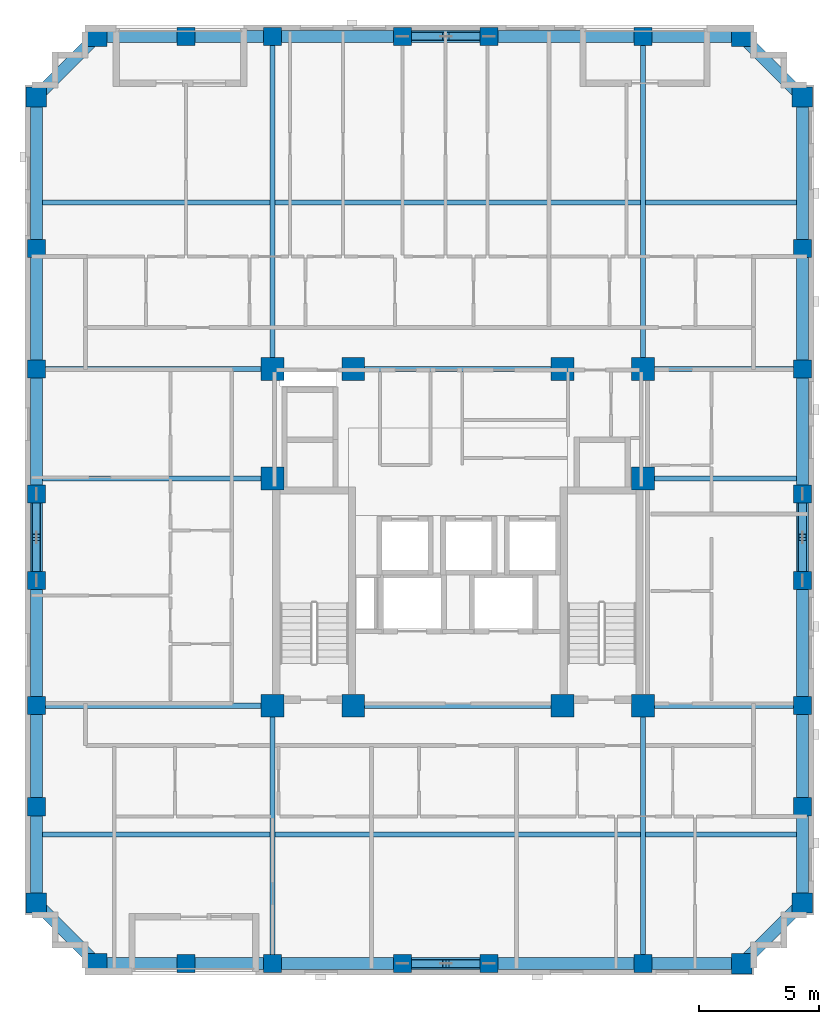
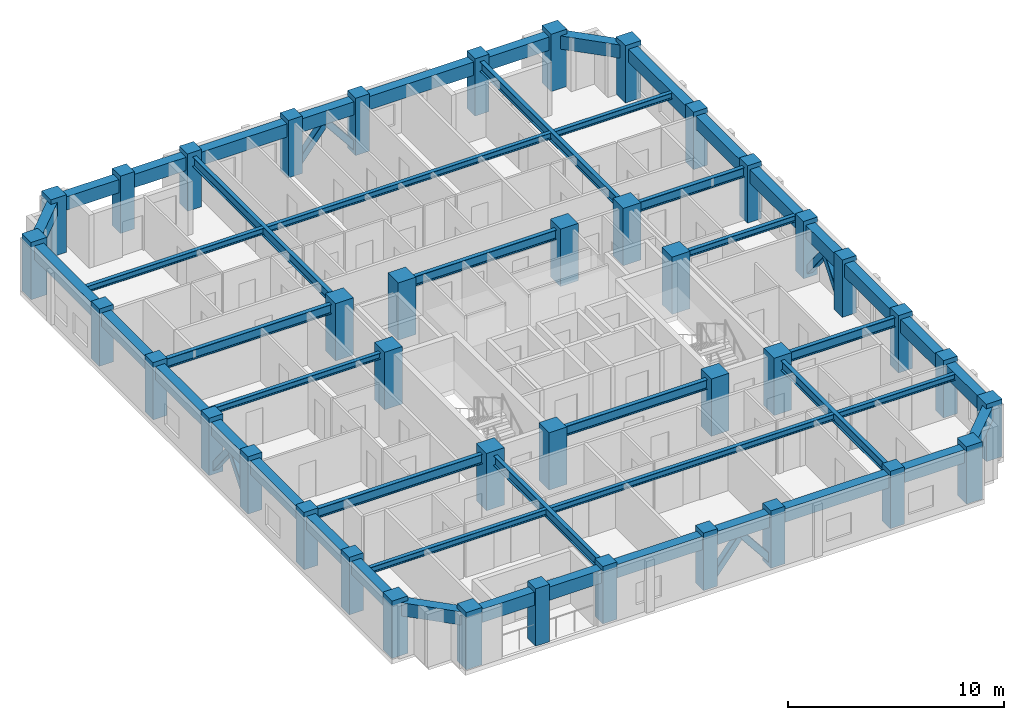
# One storey, part 1 of 11: 48 beams, 40 columns, 8 members.
"""IFC4 building model written with IfcOpenShell, lengths in metres."""

from ifc_helpers import new_model, si_unit, derived_unit, direction, frame, origin, origin_2d, place, context, subcontext, project, spatial, rectangle, hollow_rectangle, i_section, extrude, material, material_profile, profile_set, type_object, element, save


model = new_model("IFC4")

# Units and contexts
model_context = context("Model", 3, precision=1e-05, world=origin(), true_north=direction((0.0, 1.0)))
body_context = subcontext(model_context, "Body", "Model", "MODEL_VIEW")
ifc_project = project(units=[si_unit("LENGTHUNIT", "METRE"), si_unit("AREAUNIT", "SQUARE_METRE"), si_unit("VOLUMEUNIT", "CUBIC_METRE"), si_unit("PLANEANGLEUNIT", "RADIAN"), si_unit("MASSUNIT", "GRAM", prefix="KILO"), derived_unit("THERMALTRANSMITTANCEUNIT", [(si_unit("MASSUNIT", "GRAM", prefix="KILO"), 1), (si_unit("TIMEUNIT", "SECOND"), -3), (si_unit("THERMODYNAMICTEMPERATUREUNIT", "KELVIN"), -1)])], contexts=[model_context])

# Site, building, storey
site_placement = place(None, origin())
site = spatial("IfcSite", under=ifc_project, at=site_placement, CompositionType="ELEMENT")
building_placement = place(site_placement, origin())
building = spatial("IfcBuilding", under=site, at=building_placement, Name="Korrvale Station Residences", CompositionType="ELEMENT")
storey_placement = place(building_placement, frame((0.0, 0.0, 134.14990234375)))
storey = spatial("IfcBuildingStorey", under=building, at=storey_placement, Name="L38", CompositionType="ELEMENT", Elevation=134.14990234375)

# Columns
ifc_material_1 = material(Name="Concrete C60/75", Category="concrete")
ifc_material_profile_1 = material_profile(ifc_material_1, rectangle(XDim=0.75, YDim=0.75, at=origin_2d()), Name="RC750x750")
ifc_profile_set_1 = profile_set([ifc_material_profile_1], Name="Concrete C60/75")
column_type_1 = type_object("IfcColumnType", Name="COL-C-RC750x750-C6075", PredefinedType="COLUMN", material=ifc_profile_set_1)
for number, where, z_axis, x_axis, name in (
    (1, (14.199951171875, 4.280029296875, 0.0), (0.0, 0.0, 1.0), (1.0, 0.0, 0.0), "L38 Bundled-Tube South Column 02"),
    (2, (17.800048828125, 4.280029296875, 0.0), (0.0, 0.0, 1.0), (1.0, 0.0, 0.0), "L38 Bundled-Tube South Column 03"),
    (3, (23.199951171875, 4.280029296875, 0.0), (0.0, 0.0, 1.0), (1.0, 0.0, 0.0), "L38 Bundled-Tube South Column 04"),
    (4, (26.800048828125, 4.280029296875, 0.0), (0.0, 0.0, 1.0), (1.0, 0.0, 0.0), "L38 Bundled-Tube South Column 05"),
    (5, (33.199951171875, 4.280029296875, 0.0), (0.0, 0.0, 1.0), (1.0, 0.0, 0.0), "L38 Bundled-Tube South Column 06"),
    (6, (14.199951171875, 42.820068359375, 0.0), (0.0, 0.0, 1.0), (1.0, 0.0, 0.0), "L38 Bundled-Tube North Column 09"),
    (7, (17.800048828125, 42.820068359375, 0.0), (0.0, 0.0, 1.0), (1.0, 0.0, 0.0), "L38 Bundled-Tube North Column 10"),
    (8, (23.199951171875, 42.820068359375, 0.0), (0.0, 0.0, 1.0), (1.0, 0.0, 0.0), "L38 Bundled-Tube North Column 11"),
    (9, (26.800048828125, 42.820068359375, 0.0), (0.0, 0.0, 1.0), (1.0, 0.0, 0.0), "L38 Bundled-Tube North Column 12"),
    (10, (33.199951171875, 42.820068359375, 0.0), (0.0, 0.0, 1.0), (1.0, 0.0, 0.0), "L38 Bundled-Tube North Column 13"),
    (11, (7.97998046875, 10.800048828125, 0.0), (0.0, 0.0, 1.0), (1.0, 0.0, 0.0), "L38 Bundled-Tube West Column 16"),
    (12, (7.97998046875, 15.0, 0.0), (0.0, 0.0, 1.0), (1.0, 0.0, 0.0), "L38 Bundled-Tube West Column 17"),
    (13, (7.97998046875, 20.199951171875, 0.0), (0.0, 0.0, 1.0), (1.0, 0.0, 0.0), "L38 Bundled-Tube West Column 18"),
    (14, (7.97998046875, 23.800048828125, 0.0), (0.0, 0.0, 1.0), (1.0, 0.0, 0.0), "L38 Bundled-Tube West Column 19"),
    (15, (7.97998046875, 29.0, 0.0), (0.0, 0.0, 1.0), (1.0, 0.0, 0.0), "L38 Bundled-Tube West Column 20"),
    (16, (7.97998046875, 34.0, 0.0), (0.0, 0.0, 1.0), (1.0, 0.0, 0.0), "L38 Bundled-Tube West Column 21"),
    (17, (39.820068359375, 10.800048828125, 0.0), (0.0, 0.0, 1.0), (1.0, 0.0, 0.0), "L38 Bundled-Tube East Column 24"),
    (18, (39.820068359375, 15.0, 0.0), (0.0, 0.0, 1.0), (1.0, 0.0, 0.0), "L38 Bundled-Tube East Column 25"),
    (19, (39.820068359375, 20.199951171875, 0.0), (0.0, 0.0, 1.0), (1.0, 0.0, 0.0), "L38 Bundled-Tube East Column 26"),
    (20, (39.820068359375, 23.800048828125, 0.0), (0.0, 0.0, 1.0), (1.0, 0.0, 0.0), "L38 Bundled-Tube East Column 27"),
    (21, (39.820068359375, 29.0, 0.0), (0.0, 0.0, 1.0), (1.0, 0.0, 0.0), "L38 Bundled-Tube East Column 28"),
    (22, (39.820068359375, 34.0, 0.0), (0.0, 0.0, 1.0), (1.0, 0.0, 0.0), "L38 Bundled-Tube East Column 29"),
):
    element("IfcColumn", number, at=place(storey_placement, frame(where, z_axis=z_axis, x_axis=x_axis)), inside=storey, type_object=column_type_1, Name=name, PredefinedType="COLUMN", context=body_context, shape_type="SweptSolid", body=[
        extrude(rectangle(XDim=0.75, YDim=0.75, at=origin_2d()), origin(), (0.0, 0.0, 1.0), 3.25),
    ])
ifc_material_profile_2 = material_profile(ifc_material_1, rectangle(XDim=0.85009765625, YDim=0.85009765625, at=origin_2d()), Name="RC850x850")
ifc_profile_set_2 = profile_set([ifc_material_profile_2], Name="Concrete C60/75")
column_type_2 = type_object("IfcColumnType", Name="COL-C-RC850x850-C6075", PredefinedType="COLUMN", material=ifc_profile_set_2)
for number, where, z_axis, x_axis, name in (
    (23, (10.5, 4.280029296875, 0.0), (0.0, 0.0, 1.0), (1.0, 0.0, 0.0), "L38 Bundled-Tube South Column 01"),
    (24, (37.300048828125, 4.280029296875, 0.0), (0.0, 0.0, 1.0), (1.0, 0.0, 0.0), "L38 Bundled-Tube South Column 07"),
    (25, (10.5, 42.820068359375, 0.0), (0.0, 0.0, 1.0), (1.0, 0.0, 0.0), "L38 Bundled-Tube North Column 08"),
    (26, (37.300048828125, 42.820068359375, 0.0), (0.0, 0.0, 1.0), (1.0, 0.0, 0.0), "L38 Bundled-Tube North Column 14"),
    (27, (7.97998046875, 6.800048828125, 0.0), (0.0, 0.0, 1.0), (1.0, 0.0, 0.0), "L38 Bundled-Tube West Column 15"),
    (28, (7.97998046875, 40.300048828125, 0.0), (0.0, 0.0, 1.0), (1.0, 0.0, 0.0), "L38 Bundled-Tube West Column 22"),
    (29, (39.820068359375, 6.800048828125, 0.0), (0.0, 0.0, 1.0), (1.0, 0.0, 0.0), "L38 Bundled-Tube East Column 23"),
    (30, (39.820068359375, 40.300048828125, 0.0), (0.0, 0.0, 1.0), (1.0, 0.0, 0.0), "L38 Bundled-Tube East Column 30"),
):
    element("IfcColumn", number, at=place(storey_placement, frame(where, z_axis=z_axis, x_axis=x_axis)), inside=storey, type_object=column_type_2, Name=name, PredefinedType="COLUMN", context=body_context, shape_type="SweptSolid", body=[
        extrude(rectangle(XDim=0.85009765625, YDim=0.85009765625, at=origin_2d()), origin(), (0.0, 0.0, 1.0), 3.25),
    ])
ifc_material_profile_3 = material_profile(ifc_material_1, rectangle(XDim=0.949951171875, YDim=0.949951171875, at=origin_2d()), Name="RC950x950")
ifc_profile_set_3 = profile_set([ifc_material_profile_3], Name="Concrete C60/75")
column_type_3 = type_object("IfcColumnType", Name="COL-C-RC950x950-C6075", PredefinedType="COLUMN", material=ifc_profile_set_3)
for number, where, z_axis, x_axis, name in (
    (31, (17.800048828125, 15.0, 0.0), (0.0, 0.0, 1.0), (1.0, 0.0, 0.0), "L38 Core Column 01"),
    (32, (21.14990234375, 15.0, 0.0), (0.0, 0.0, 1.0), (1.0, 0.0, 0.0), "L38 Core Column 02"),
    (33, (29.85009765625, 15.0, 0.0), (0.0, 0.0, 1.0), (1.0, 0.0, 0.0), "L38 Core Column 03"),
    (34, (33.199951171875, 15.0, 0.0), (0.0, 0.0, 1.0), (1.0, 0.0, 0.0), "L38 Core Column 04"),
    (35, (17.800048828125, 29.0, 0.0), (0.0, 0.0, 1.0), (1.0, 0.0, 0.0), "L38 Core Column 05"),
    (36, (21.14990234375, 29.0, 0.0), (0.0, 0.0, 1.0), (1.0, 0.0, 0.0), "L38 Core Column 06"),
    (37, (29.85009765625, 29.0, 0.0), (0.0, 0.0, 1.0), (1.0, 0.0, 0.0), "L38 Core Column 07"),
    (38, (33.199951171875, 29.0, 0.0), (0.0, 0.0, 1.0), (1.0, 0.0, 0.0), "L38 Core Column 08"),
    (39, (17.800048828125, 24.449951171875, 0.0), (0.0, 0.0, 1.0), (1.0, 0.0, 0.0), "L38 Core Column 09"),
    (40, (33.199951171875, 24.449951171875, 0.0), (0.0, 0.0, 1.0), (1.0, 0.0, 0.0), "L38 Core Column 10"),
):
    element("IfcColumn", number, at=place(storey_placement, frame(where, z_axis=z_axis, x_axis=x_axis)), inside=storey, type_object=column_type_3, Name=name, PredefinedType="COLUMN", context=body_context, shape_type="SweptSolid", body=[
        extrude(rectangle(XDim=0.949951171875, YDim=0.949951171875, at=origin_2d()), origin(), (0.0, 0.0, 1.0), 3.25),
    ])

# Beams
ifc_material_2 = material(Name="Steel S355", Category="steel")
ifc_material_profile_4 = material_profile(ifc_material_2, i_section(OverallWidth=0.214111328125, OverallDepth=0.549072265625, WebThickness=0.0146484375, FlangeThickness=0.023681640625, FilletRadius=0.01806640625, at=origin_2d()), Name="W530x138")
ifc_profile_set_4 = profile_set([ifc_material_profile_4], Name="Steel S355")
beam_type_1 = type_object("IfcBeamType", Name="BM-BM-W530x138-S355", PredefinedType="BEAM", material=ifc_profile_set_4)
for number, where, z_axis, x_axis, name in (
    (41, (17.800048828125, 4.280029296875, 2.715576171875), (0.0, 1.0, 0.0), (-1.0, 0.0, 0.0), "L38 Bundled-Tube Web Girder 01"),
    (42, (33.199951171875, 4.280029296875, 2.715576171875), (0.0, 1.0, 0.0), (-1.0, 0.0, 0.0), "L38 Bundled-Tube Web Girder 02"),
):
    element("IfcBeam", number, at=place(storey_placement, frame(where, z_axis=z_axis, x_axis=x_axis)), inside=storey, type_object=beam_type_1, Name=name, PredefinedType="BEAM", context=body_context, shape_type="SweptSolid", body=[
        extrude(i_section(OverallWidth=0.214111328125, OverallDepth=0.549072265625, WebThickness=0.0146484375, FlangeThickness=0.023681640625, FilletRadius=0.01806640625, at=origin_2d()), origin(), (0.0, 0.0, 1.0), 10.719970703125),
    ])
for number, where, z_axis, x_axis, name in (
    (43, (17.800048828125, 29.0, 2.715576171875), (0.0, 1.0, 0.0), (-1.0, 0.0, 0.0), "L38 Bundled-Tube Web Girder 03"),
    (44, (33.199951171875, 29.0, 2.715576171875), (0.0, 1.0, 0.0), (-1.0, 0.0, 0.0), "L38 Bundled-Tube Web Girder 04"),
):
    element("IfcBeam", number, at=place(storey_placement, frame(where, z_axis=z_axis, x_axis=x_axis)), inside=storey, type_object=beam_type_1, Name=name, PredefinedType="BEAM", context=body_context, shape_type="SweptSolid", body=[
        extrude(i_section(OverallWidth=0.214111328125, OverallDepth=0.549072265625, WebThickness=0.0146484375, FlangeThickness=0.023681640625, FilletRadius=0.01806640625, at=origin_2d()), origin(), (0.0, 0.0, 1.0), 13.820068359375),
    ])
beam_1_placement = place(storey_placement, frame((7.97998046875, 15.0, 2.715576171875), z_axis=(1.0, 0.0, 0.0), x_axis=(0.0, 1.0, 0.0)))
element("IfcBeam", 45, at=beam_1_placement, inside=storey, type_object=beam_type_1, Name="L38 Bundled-Tube Web Girder 05", PredefinedType="BEAM", context=body_context, shape_type="SweptSolid", body=[
    extrude(i_section(OverallWidth=0.214111328125, OverallDepth=0.549072265625, WebThickness=0.0146484375, FlangeThickness=0.023681640625, FilletRadius=0.01806640625, at=origin_2d()), origin(), (0.0, 0.0, 1.0), 9.820068359375),
])
beam_2_placement = place(storey_placement, frame((33.199951171875, 15.0, 2.715576171875), z_axis=(1.0, 0.0, 0.0), x_axis=(0.0, 1.0, 0.0)))
element("IfcBeam", 46, at=beam_2_placement, inside=storey, type_object=beam_type_1, Name="L38 Bundled-Tube Web Girder 06", PredefinedType="BEAM", context=body_context, shape_type="SweptSolid", body=[
    extrude(i_section(OverallWidth=0.214111328125, OverallDepth=0.549072265625, WebThickness=0.0146484375, FlangeThickness=0.023681640625, FilletRadius=0.01806640625, at=origin_2d()), origin(), (0.0, 0.0, 1.0), 6.6201171875),
])
beam_3_placement = place(storey_placement, frame((7.97998046875, 29.0, 2.715576171875), z_axis=(1.0, 0.0, 0.0), x_axis=(0.0, 1.0, 0.0)))
element("IfcBeam", 47, at=beam_3_placement, inside=storey, type_object=beam_type_1, Name="L38 Bundled-Tube Web Girder 07", PredefinedType="BEAM", context=body_context, shape_type="SweptSolid", body=[
    extrude(i_section(OverallWidth=0.214111328125, OverallDepth=0.549072265625, WebThickness=0.0146484375, FlangeThickness=0.023681640625, FilletRadius=0.01806640625, at=origin_2d()), origin(), (0.0, 0.0, 1.0), 9.820068359375),
])
beam_4_placement = place(storey_placement, frame((33.199951171875, 29.0, 2.715576171875), z_axis=(1.0, 0.0, 0.0), x_axis=(0.0, 1.0, 0.0)))
element("IfcBeam", 48, at=beam_4_placement, inside=storey, type_object=beam_type_1, Name="L38 Bundled-Tube Web Girder 08", PredefinedType="BEAM", context=body_context, shape_type="SweptSolid", body=[
    extrude(i_section(OverallWidth=0.214111328125, OverallDepth=0.549072265625, WebThickness=0.0146484375, FlangeThickness=0.023681640625, FilletRadius=0.01806640625, at=origin_2d()), origin(), (0.0, 0.0, 1.0), 6.6201171875),
])
for number, where, z_axis, x_axis, name in (
    (49, (21.14990234375, 15.0, 2.715576171875), (1.0, 0.0, 0.0), (0.0, 1.0, 0.0), "L38 Bundled-Tube Web Girder 09"),
    (50, (21.14990234375, 29.0, 2.715576171875), (1.0, 0.0, 0.0), (0.0, 1.0, 0.0), "L38 Bundled-Tube Web Girder 10"),
):
    element("IfcBeam", number, at=place(storey_placement, frame(where, z_axis=z_axis, x_axis=x_axis)), inside=storey, type_object=beam_type_1, Name=name, PredefinedType="BEAM", context=body_context, shape_type="SweptSolid", body=[
        extrude(i_section(OverallWidth=0.214111328125, OverallDepth=0.549072265625, WebThickness=0.0146484375, FlangeThickness=0.023681640625, FilletRadius=0.01806640625, at=origin_2d()), origin(), (0.0, 0.0, 1.0), 8.7001953125),
    ])
ifc_material_profile_5 = material_profile(ifc_material_2, i_section(OverallWidth=0.205078125, OverallDepth=0.35400390625, WebThickness=0.009521484375, FlangeThickness=0.016845703125, FilletRadius=0.014892578125, at=origin_2d()), Name="W360x79")
ifc_profile_set_5 = profile_set([ifc_material_profile_5], Name="Steel S355")
beam_type_2 = type_object("IfcBeamType", Name="BM-JST-W360x79-S355", PredefinedType="JOIST", material=ifc_profile_set_5)
beam_5_placement = place(storey_placement, frame((8.22998046875, 9.639892578125, 2.81298828125), z_axis=(1.0, 0.0, 0.0), x_axis=(0.0, 1.0, 0.0)))
element("IfcBeam", 51, at=beam_5_placement, inside=storey, type_object=beam_type_2, Name="L38 Floor Framing Joist 01", PredefinedType="JOIST", context=body_context, shape_type="SweptSolid", body=[
    extrude(i_section(OverallWidth=0.205078125, OverallDepth=0.35400390625, WebThickness=0.009521484375, FlangeThickness=0.016845703125, FilletRadius=0.014892578125, at=origin_2d()), origin(), (0.0, 0.0, 1.0), 9.463134765625),
])
beam_6_placement = place(storey_placement, frame((17.906982421875, 9.639892578125, 2.81298828125), z_axis=(1.0, 0.0, 0.0), x_axis=(0.0, 1.0, 0.0)))
element("IfcBeam", 52, at=beam_6_placement, inside=storey, type_object=beam_type_2, Name="L38 Floor Framing Joist 02", PredefinedType="JOIST", context=body_context, shape_type="SweptSolid", body=[
    extrude(i_section(OverallWidth=0.205078125, OverallDepth=0.35400390625, WebThickness=0.009521484375, FlangeThickness=0.016845703125, FilletRadius=0.014892578125, at=origin_2d()), origin(), (0.0, 0.0, 1.0), 15.18603515625),
])
beam_7_placement = place(storey_placement, frame((33.306884765625, 9.639892578125, 2.81298828125), z_axis=(1.0, 0.0, 0.0), x_axis=(0.0, 1.0, 0.0)))
element("IfcBeam", 53, at=beam_7_placement, inside=storey, type_object=beam_type_2, Name="L38 Floor Framing Joist 03", PredefinedType="JOIST", context=body_context, shape_type="SweptSolid", body=[
    extrude(i_section(OverallWidth=0.205078125, OverallDepth=0.35400390625, WebThickness=0.009521484375, FlangeThickness=0.016845703125, FilletRadius=0.014892578125, at=origin_2d()), origin(), (0.0, 0.0, 1.0), 6.26318359375),
])
beam_8_placement = place(storey_placement, frame((8.22998046875, 35.909912109375, 2.81298828125), z_axis=(1.0, 0.0, 0.0), x_axis=(0.0, 1.0, 0.0)))
element("IfcBeam", 54, at=beam_8_placement, inside=storey, type_object=beam_type_2, Name="L38 Floor Framing Joist 04", PredefinedType="JOIST", context=body_context, shape_type="SweptSolid", body=[
    extrude(i_section(OverallWidth=0.205078125, OverallDepth=0.35400390625, WebThickness=0.009521484375, FlangeThickness=0.016845703125, FilletRadius=0.014892578125, at=origin_2d()), origin(), (0.0, 0.0, 1.0), 9.463134765625),
])
beam_9_placement = place(storey_placement, frame((17.906982421875, 35.909912109375, 2.81298828125), z_axis=(1.0, 0.0, 0.0), x_axis=(0.0, 1.0, 0.0)))
element("IfcBeam", 55, at=beam_9_placement, inside=storey, type_object=beam_type_2, Name="L38 Floor Framing Joist 05", PredefinedType="JOIST", context=body_context, shape_type="SweptSolid", body=[
    extrude(i_section(OverallWidth=0.205078125, OverallDepth=0.35400390625, WebThickness=0.009521484375, FlangeThickness=0.016845703125, FilletRadius=0.014892578125, at=origin_2d()), origin(), (0.0, 0.0, 1.0), 15.18603515625),
])
beam_10_placement = place(storey_placement, frame((33.306884765625, 35.909912109375, 2.81298828125), z_axis=(1.0, 0.0, 0.0), x_axis=(0.0, 1.0, 0.0)))
element("IfcBeam", 56, at=beam_10_placement, inside=storey, type_object=beam_type_2, Name="L38 Floor Framing Joist 06", PredefinedType="JOIST", context=body_context, shape_type="SweptSolid", body=[
    extrude(i_section(OverallWidth=0.205078125, OverallDepth=0.35400390625, WebThickness=0.009521484375, FlangeThickness=0.016845703125, FilletRadius=0.014892578125, at=origin_2d()), origin(), (0.0, 0.0, 1.0), 6.26318359375),
])
beam_11_placement = place(storey_placement, frame((33.199951171875, 24.449951171875, 2.81298828125), z_axis=(1.0, 0.0, 0.0), x_axis=(0.0, 1.0, 0.0)))
element("IfcBeam", 57, at=beam_11_placement, inside=storey, type_object=beam_type_2, Name="L38 Floor Framing Joist 07", PredefinedType="JOIST", context=body_context, shape_type="SweptSolid", body=[
    extrude(i_section(OverallWidth=0.205078125, OverallDepth=0.35400390625, WebThickness=0.009521484375, FlangeThickness=0.016845703125, FilletRadius=0.014892578125, at=origin_2d()), origin(), (0.0, 0.0, 1.0), 6.3701171875),
])
beam_12_placement = place(storey_placement, frame((8.22998046875, 24.449951171875, 2.81298828125), z_axis=(1.0, 0.0, 0.0), x_axis=(0.0, 1.0, 0.0)))
element("IfcBeam", 58, at=beam_12_placement, inside=storey, type_object=beam_type_2, Name="L38 Floor Framing Joist 08", PredefinedType="JOIST", context=body_context, shape_type="SweptSolid", body=[
    extrude(i_section(OverallWidth=0.205078125, OverallDepth=0.35400390625, WebThickness=0.009521484375, FlangeThickness=0.016845703125, FilletRadius=0.014892578125, at=origin_2d()), origin(), (0.0, 0.0, 1.0), 9.570068359375),
])
ifc_material_profile_6 = material_profile(ifc_material_1, rectangle(XDim=0.5, YDim=0.75, at=origin_2d()), Name="RCB500x750")
ifc_profile_set_6 = profile_set([ifc_material_profile_6], Name="Concrete C60/75")
beam_type_3 = type_object("IfcBeamType", Name="BM-SPB-RCB500x750-C6075", PredefinedType="SPANDREL", material=ifc_profile_set_6)
beam_13_placement = place(storey_placement, frame((10.5, 4.280029296875, 2.614990234375), z_axis=(1.0, 0.0, 0.0), x_axis=(0.0, 1.0, 0.0)))
element("IfcBeam", 59, at=beam_13_placement, inside=storey, type_object=beam_type_3, Name="L38 South Tube Spandrel 01", PredefinedType="SPANDREL", context=body_context, shape_type="SweptSolid", body=[
    extrude(rectangle(XDim=0.5, YDim=0.75, at=origin_2d()), origin(), (0.0, 0.0, 1.0), 3.699951171875),
])
beam_14_placement = place(storey_placement, frame((14.199951171875, 4.280029296875, 2.614990234375), z_axis=(1.0, 0.0, 0.0), x_axis=(0.0, 1.0, 0.0)))
element("IfcBeam", 60, at=beam_14_placement, inside=storey, type_object=beam_type_3, Name="L38 South Tube Spandrel 02", PredefinedType="SPANDREL", context=body_context, shape_type="SweptSolid", body=[
    extrude(rectangle(XDim=0.5, YDim=0.75, at=origin_2d()), origin(), (0.0, 0.0, 1.0), 3.60009765625),
])
beam_15_placement = place(storey_placement, frame((17.800048828125, 4.280029296875, 2.614990234375), z_axis=(1.0, 0.0, 0.0), x_axis=(0.0, 1.0, 0.0)))
element("IfcBeam", 61, at=beam_15_placement, inside=storey, type_object=beam_type_3, Name="L38 South Tube Spandrel 03", PredefinedType="SPANDREL", context=body_context, shape_type="SweptSolid", body=[
    extrude(rectangle(XDim=0.5, YDim=0.75, at=origin_2d()), origin(), (0.0, 0.0, 1.0), 5.39990234375),
])
beam_16_placement = place(storey_placement, frame((23.199951171875, 4.280029296875, 2.614990234375), z_axis=(1.0, 0.0, 0.0), x_axis=(0.0, 1.0, 0.0)))
element("IfcBeam", 62, at=beam_16_placement, inside=storey, type_object=beam_type_3, Name="L38 South Tube Spandrel 04", PredefinedType="SPANDREL", context=body_context, shape_type="SweptSolid", body=[
    extrude(rectangle(XDim=0.5, YDim=0.75, at=origin_2d()), origin(), (0.0, 0.0, 1.0), 3.60009765625),
])
beam_17_placement = place(storey_placement, frame((26.800048828125, 4.280029296875, 2.614990234375), z_axis=(1.0, 0.0, 0.0), x_axis=(0.0, 1.0, 0.0)))
element("IfcBeam", 63, at=beam_17_placement, inside=storey, type_object=beam_type_3, Name="L38 South Tube Spandrel 05", PredefinedType="SPANDREL", context=body_context, shape_type="SweptSolid", body=[
    extrude(rectangle(XDim=0.5, YDim=0.75, at=origin_2d()), origin(), (0.0, 0.0, 1.0), 6.39990234375),
])
beam_18_placement = place(storey_placement, frame((33.199951171875, 4.280029296875, 2.614990234375), z_axis=(1.0, 0.0, 0.0), x_axis=(0.0, 1.0, 0.0)))
element("IfcBeam", 64, at=beam_18_placement, inside=storey, type_object=beam_type_3, Name="L38 South Tube Spandrel 06", PredefinedType="SPANDREL", context=body_context, shape_type="SweptSolid", body=[
    extrude(rectangle(XDim=0.5, YDim=0.75, at=origin_2d()), origin(), (0.0, 0.0, 1.0), 4.10009765625),
])
beam_19_placement = place(storey_placement, frame((10.5, 42.820068359375, 2.614990234375), z_axis=(1.0, 0.0, 0.0), x_axis=(0.0, 1.0, 0.0)))
element("IfcBeam", 65, at=beam_19_placement, inside=storey, type_object=beam_type_3, Name="L38 North Tube Spandrel 07", PredefinedType="SPANDREL", context=body_context, shape_type="SweptSolid", body=[
    extrude(rectangle(XDim=0.5, YDim=0.75, at=origin_2d()), origin(), (0.0, 0.0, 1.0), 3.699951171875),
])
beam_20_placement = place(storey_placement, frame((14.199951171875, 42.820068359375, 2.614990234375), z_axis=(1.0, 0.0, 0.0), x_axis=(0.0, 1.0, 0.0)))
element("IfcBeam", 66, at=beam_20_placement, inside=storey, type_object=beam_type_3, Name="L38 North Tube Spandrel 08", PredefinedType="SPANDREL", context=body_context, shape_type="SweptSolid", body=[
    extrude(rectangle(XDim=0.5, YDim=0.75, at=origin_2d()), origin(), (0.0, 0.0, 1.0), 3.60009765625),
])
beam_21_placement = place(storey_placement, frame((17.800048828125, 42.820068359375, 2.614990234375), z_axis=(1.0, 0.0, 0.0), x_axis=(0.0, 1.0, 0.0)))
element("IfcBeam", 67, at=beam_21_placement, inside=storey, type_object=beam_type_3, Name="L38 North Tube Spandrel 09", PredefinedType="SPANDREL", context=body_context, shape_type="SweptSolid", body=[
    extrude(rectangle(XDim=0.5, YDim=0.75, at=origin_2d()), origin(), (0.0, 0.0, 1.0), 5.39990234375),
])
beam_22_placement = place(storey_placement, frame((23.199951171875, 42.820068359375, 2.614990234375), z_axis=(1.0, 0.0, 0.0), x_axis=(0.0, 1.0, 0.0)))
element("IfcBeam", 68, at=beam_22_placement, inside=storey, type_object=beam_type_3, Name="L38 North Tube Spandrel 10", PredefinedType="SPANDREL", context=body_context, shape_type="SweptSolid", body=[
    extrude(rectangle(XDim=0.5, YDim=0.75, at=origin_2d()), origin(), (0.0, 0.0, 1.0), 3.60009765625),
])
beam_23_placement = place(storey_placement, frame((26.800048828125, 42.820068359375, 2.614990234375), z_axis=(1.0, 0.0, 0.0), x_axis=(0.0, 1.0, 0.0)))
element("IfcBeam", 69, at=beam_23_placement, inside=storey, type_object=beam_type_3, Name="L38 North Tube Spandrel 11", PredefinedType="SPANDREL", context=body_context, shape_type="SweptSolid", body=[
    extrude(rectangle(XDim=0.5, YDim=0.75, at=origin_2d()), origin(), (0.0, 0.0, 1.0), 6.39990234375),
])
beam_24_placement = place(storey_placement, frame((33.199951171875, 42.820068359375, 2.614990234375), z_axis=(1.0, 0.0, 0.0), x_axis=(0.0, 1.0, 0.0)))
element("IfcBeam", 70, at=beam_24_placement, inside=storey, type_object=beam_type_3, Name="L38 North Tube Spandrel 12", PredefinedType="SPANDREL", context=body_context, shape_type="SweptSolid", body=[
    extrude(rectangle(XDim=0.5, YDim=0.75, at=origin_2d()), origin(), (0.0, 0.0, 1.0), 4.10009765625),
])
beam_25_placement = place(storey_placement, frame((7.97998046875, 6.800048828125, 2.614990234375), z_axis=(0.0, 1.0, 0.0), x_axis=(-1.0, 0.0, 0.0)))
element("IfcBeam", 71, at=beam_25_placement, inside=storey, type_object=beam_type_3, Name="L38 West Tube Spandrel 13", PredefinedType="SPANDREL", context=body_context, shape_type="SweptSolid", body=[
    extrude(rectangle(XDim=0.5, YDim=0.75, at=origin_2d()), origin(), (0.0, 0.0, 1.0), 4.0),
])
beam_26_placement = place(storey_placement, frame((7.97998046875, 10.800048828125, 2.614990234375), z_axis=(0.0, 1.0, 0.0), x_axis=(-1.0, 0.0, 0.0)))
element("IfcBeam", 72, at=beam_26_placement, inside=storey, type_object=beam_type_3, Name="L38 West Tube Spandrel 14", PredefinedType="SPANDREL", context=body_context, shape_type="SweptSolid", body=[
    extrude(rectangle(XDim=0.5, YDim=0.75, at=origin_2d()), origin(), (0.0, 0.0, 1.0), 4.199951171875),
])
beam_27_placement = place(storey_placement, frame((7.97998046875, 15.0, 2.614990234375), z_axis=(0.0, 1.0, 0.0), x_axis=(-1.0, 0.0, 0.0)))
element("IfcBeam", 73, at=beam_27_placement, inside=storey, type_object=beam_type_3, Name="L38 West Tube Spandrel 15", PredefinedType="SPANDREL", context=body_context, shape_type="SweptSolid", body=[
    extrude(rectangle(XDim=0.5, YDim=0.75, at=origin_2d()), origin(), (0.0, 0.0, 1.0), 5.199951171875),
])
beam_28_placement = place(storey_placement, frame((7.97998046875, 20.199951171875, 2.614990234375), z_axis=(0.0, 1.0, 0.0), x_axis=(-1.0, 0.0, 0.0)))
element("IfcBeam", 74, at=beam_28_placement, inside=storey, type_object=beam_type_3, Name="L38 West Tube Spandrel 16", PredefinedType="SPANDREL", context=body_context, shape_type="SweptSolid", body=[
    extrude(rectangle(XDim=0.5, YDim=0.75, at=origin_2d()), origin(), (0.0, 0.0, 1.0), 3.60009765625),
])
beam_29_placement = place(storey_placement, frame((7.97998046875, 23.800048828125, 2.614990234375), z_axis=(0.0, 1.0, 0.0), x_axis=(-1.0, 0.0, 0.0)))
element("IfcBeam", 75, at=beam_29_placement, inside=storey, type_object=beam_type_3, Name="L38 West Tube Spandrel 17", PredefinedType="SPANDREL", context=body_context, shape_type="SweptSolid", body=[
    extrude(rectangle(XDim=0.5, YDim=0.75, at=origin_2d()), origin(), (0.0, 0.0, 1.0), 5.199951171875),
])
beam_30_placement = place(storey_placement, frame((7.97998046875, 29.0, 2.614990234375), z_axis=(0.0, 1.0, 0.0), x_axis=(-1.0, 0.0, 0.0)))
element("IfcBeam", 76, at=beam_30_placement, inside=storey, type_object=beam_type_3, Name="L38 West Tube Spandrel 18", PredefinedType="SPANDREL", context=body_context, shape_type="SweptSolid", body=[
    extrude(rectangle(XDim=0.5, YDim=0.75, at=origin_2d()), origin(), (0.0, 0.0, 1.0), 5.0),
])
beam_31_placement = place(storey_placement, frame((7.97998046875, 34.0, 2.614990234375), z_axis=(0.0, 1.0, 0.0), x_axis=(-1.0, 0.0, 0.0)))
element("IfcBeam", 77, at=beam_31_placement, inside=storey, type_object=beam_type_3, Name="L38 West Tube Spandrel 19", PredefinedType="SPANDREL", context=body_context, shape_type="SweptSolid", body=[
    extrude(rectangle(XDim=0.5, YDim=0.75, at=origin_2d()), origin(), (0.0, 0.0, 1.0), 6.300048828125),
])
beam_32_placement = place(storey_placement, frame((39.820068359375, 6.800048828125, 2.614990234375), z_axis=(0.0, 1.0, 0.0), x_axis=(-1.0, 0.0, 0.0)))
element("IfcBeam", 78, at=beam_32_placement, inside=storey, type_object=beam_type_3, Name="L38 East Tube Spandrel 20", PredefinedType="SPANDREL", context=body_context, shape_type="SweptSolid", body=[
    extrude(rectangle(XDim=0.5, YDim=0.75, at=origin_2d()), origin(), (0.0, 0.0, 1.0), 4.0),
])
beam_33_placement = place(storey_placement, frame((39.820068359375, 10.800048828125, 2.614990234375), z_axis=(0.0, 1.0, 0.0), x_axis=(-1.0, 0.0, 0.0)))
element("IfcBeam", 79, at=beam_33_placement, inside=storey, type_object=beam_type_3, Name="L38 East Tube Spandrel 21", PredefinedType="SPANDREL", context=body_context, shape_type="SweptSolid", body=[
    extrude(rectangle(XDim=0.5, YDim=0.75, at=origin_2d()), origin(), (0.0, 0.0, 1.0), 4.199951171875),
])
beam_34_placement = place(storey_placement, frame((39.820068359375, 15.0, 2.614990234375), z_axis=(0.0, 1.0, 0.0), x_axis=(-1.0, 0.0, 0.0)))
element("IfcBeam", 80, at=beam_34_placement, inside=storey, type_object=beam_type_3, Name="L38 East Tube Spandrel 22", PredefinedType="SPANDREL", context=body_context, shape_type="SweptSolid", body=[
    extrude(rectangle(XDim=0.5, YDim=0.75, at=origin_2d()), origin(), (0.0, 0.0, 1.0), 5.199951171875),
])
beam_35_placement = place(storey_placement, frame((39.820068359375, 20.199951171875, 2.614990234375), z_axis=(0.0, 1.0, 0.0), x_axis=(-1.0, 0.0, 0.0)))
element("IfcBeam", 81, at=beam_35_placement, inside=storey, type_object=beam_type_3, Name="L38 East Tube Spandrel 23", PredefinedType="SPANDREL", context=body_context, shape_type="SweptSolid", body=[
    extrude(rectangle(XDim=0.5, YDim=0.75, at=origin_2d()), origin(), (0.0, 0.0, 1.0), 3.60009765625),
])
beam_36_placement = place(storey_placement, frame((39.820068359375, 23.800048828125, 2.614990234375), z_axis=(0.0, 1.0, 0.0), x_axis=(-1.0, 0.0, 0.0)))
element("IfcBeam", 82, at=beam_36_placement, inside=storey, type_object=beam_type_3, Name="L38 East Tube Spandrel 24", PredefinedType="SPANDREL", context=body_context, shape_type="SweptSolid", body=[
    extrude(rectangle(XDim=0.5, YDim=0.75, at=origin_2d()), origin(), (0.0, 0.0, 1.0), 5.199951171875),
])
beam_37_placement = place(storey_placement, frame((39.820068359375, 29.0, 2.614990234375), z_axis=(0.0, 1.0, 0.0), x_axis=(-1.0, 0.0, 0.0)))
element("IfcBeam", 83, at=beam_37_placement, inside=storey, type_object=beam_type_3, Name="L38 East Tube Spandrel 25", PredefinedType="SPANDREL", context=body_context, shape_type="SweptSolid", body=[
    extrude(rectangle(XDim=0.5, YDim=0.75, at=origin_2d()), origin(), (0.0, 0.0, 1.0), 5.0),
])
beam_38_placement = place(storey_placement, frame((39.820068359375, 34.0, 2.614990234375), z_axis=(0.0, 1.0, 0.0), x_axis=(-1.0, 0.0, 0.0)))
element("IfcBeam", 84, at=beam_38_placement, inside=storey, type_object=beam_type_3, Name="L38 East Tube Spandrel 26", PredefinedType="SPANDREL", context=body_context, shape_type="SweptSolid", body=[
    extrude(rectangle(XDim=0.5, YDim=0.75, at=origin_2d()), origin(), (0.0, 0.0, 1.0), 6.300048828125),
])
for number, where, z_axis, x_axis, name in (
    (85, (10.5, 4.280029296875, 2.614990234375), (-0.707106781187, 0.707106781187, 0.0), (-0.707106781187, -0.707106781187, 0.0), "L38 Serrated Corner Spandrel 27"),
    (86, (37.300048828125, 4.280029296875, 2.614990234375), (0.707106781187, 0.707106781187, 0.0), (-0.707106781187, 0.707106781187, 0.0), "L38 Serrated Corner Spandrel 28"),
    (87, (37.300048828125, 42.820068359375, 2.614990234375), (0.707106781187, -0.707106781187, 0.0), (0.707106781187, 0.707106781187, 0.0), "L38 Serrated Corner Spandrel 29"),
    (88, (10.5, 42.820068359375, 2.614990234375), (-0.707106781187, -0.707106781187, 0.0), (0.707106781187, -0.707106781187, 0.0), "L38 Serrated Corner Spandrel 30"),
):
    element("IfcBeam", number, at=place(storey_placement, frame(where, z_axis=z_axis, x_axis=x_axis)), inside=storey, type_object=beam_type_3, Name=name, PredefinedType="SPANDREL", context=body_context, shape_type="SweptSolid", body=[
        extrude(rectangle(XDim=0.5, YDim=0.75, at=origin_2d()), origin(), (0.0, 0.0, 1.0), 3.56396484375),
    ])

# Members
ifc_material_profile_7 = material_profile(ifc_material_2, hollow_rectangle(XDim=0.355712890625, YDim=0.355712890625, WallThickness=0.015869140625, InnerFilletRadius=0.015869140625, OuterFilletRadius=0.03173828125, at=origin_2d()), Name="HSS356x356x16")
ifc_profile_set_7 = profile_set([ifc_material_profile_7], Name="Steel S355")
member_type = type_object("IfcMemberType", Name="MBR-BR-HSS356x356x16", PredefinedType="BRACE", material=ifc_profile_set_7)
for number, where, z_axis, x_axis, name in (
    (89, (23.199951171875, 4.280029296875, 0.02001953125), (0.62640309239, 0.0, 0.779499304582), (0.0, 1.0, 0.0), "L38 S Perimeter Tube Wind Brace 1"),
    (90, (26.800048828125, 4.280029296875, 0.02001953125), (-0.62640309239, 0.0, 0.779499304582), (0.0, -1.0, 0.0), "L38 S Perimeter Tube Wind Brace 2"),
    (91, (23.199951171875, 42.820068359375, 0.02001953125), (0.62640309239, 0.0, 0.779499304582), (0.0, 1.0, 0.0), "L38 N Perimeter Tube Wind Brace 1"),
    (92, (26.800048828125, 42.820068359375, 0.02001953125), (-0.62640309239, 0.0, 0.779499304582), (0.0, -1.0, 0.0), "L38 N Perimeter Tube Wind Brace 2"),
    (93, (7.97998046875, 20.199951171875, 0.02001953125), (0.0, 0.62640309239, 0.779499304582), (-1.0, 0.0, 0.0), "L38 W Perimeter Tube Wind Brace 1"),
    (94, (7.97998046875, 23.800048828125, 0.02001953125), (0.0, -0.62640309239, 0.779499304582), (1.0, 0.0, 0.0), "L38 W Perimeter Tube Wind Brace 2"),
    (95, (39.820068359375, 20.199951171875, 0.02001953125), (0.0, 0.62640309239, 0.779499304582), (-1.0, 0.0, 0.0), "L38 E Perimeter Tube Wind Brace 1"),
    (96, (39.820068359375, 23.800048828125, 0.02001953125), (0.0, -0.62640309239, 0.779499304582), (1.0, 0.0, 0.0), "L38 E Perimeter Tube Wind Brace 2"),
):
    element("IfcMember", number, at=place(storey_placement, frame(where, z_axis=z_axis, x_axis=x_axis)), inside=storey, type_object=member_type, Name=name, PredefinedType="BRACE", context=body_context, shape_type="SweptSolid", body=[
        extrude(hollow_rectangle(XDim=0.355712890625, YDim=0.355712890625, WallThickness=0.015869140625, InnerFilletRadius=0.015869140625, OuterFilletRadius=0.03173828125, at=origin_2d()), origin(), (0.0, 0.0, 1.0), 2.87353515625),
    ])

save(model, "model.ifc")
